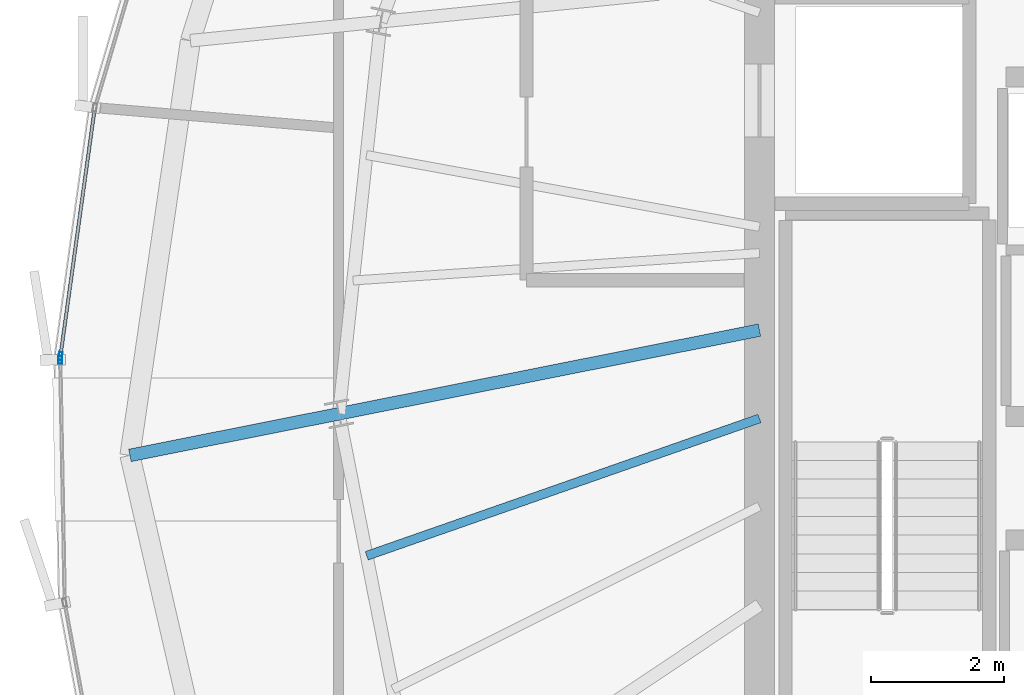
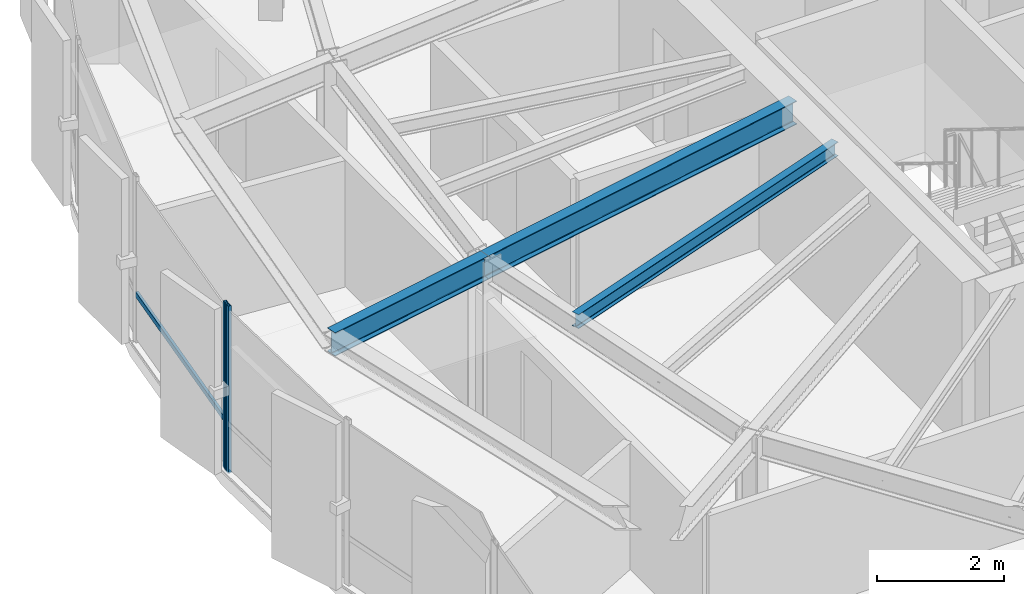
# One storey, part 10 of 32: 3 beams, 3 members, 2 elements without a shape of their own.
"""IFC4 building model written with IfcOpenShell, lengths in metres."""

from ifc_helpers import new_model, si_unit, direction, frame, origin, origin_2d, place, context, subcontext, project, spatial, hollow_rectangle, i_section, extrude, source, transform, mapped, material, layer, layer_set, material_profile, profile_set, type_object, element, aggregate, save


model = new_model("IFC4")

# Units and contexts
model_context = context("Model", 3, precision=1e-05, world=origin(), true_north=direction((0.0, 1.0)))
body_context = subcontext(model_context, "Body", "Model", "MODEL_VIEW")
ifc_project = project(units=[si_unit("LENGTHUNIT", "METRE"), si_unit("AREAUNIT", "SQUARE_METRE"), si_unit("VOLUMEUNIT", "CUBIC_METRE"), si_unit("PLANEANGLEUNIT", "RADIAN"), si_unit("MASSUNIT", "GRAM", prefix="KILO"), si_unit("THERMODYNAMICTEMPERATUREUNIT", "KELVIN")], contexts=[model_context])

# Site, building, storey
site_placement = place(None, origin())
site = spatial("IfcSite", under=ifc_project, at=site_placement, CompositionType="ELEMENT")
building_placement = place(site_placement, origin())
building = spatial("IfcBuilding", under=site, at=building_placement, Name="Kethvar Cultural Tower", CompositionType="ELEMENT")
storey_placement = place(building_placement, frame((0.0, 0.0, 280.14990234375)))
storey = spatial("IfcBuildingStorey", under=building, at=storey_placement, Name="L74", CompositionType="ELEMENT", Elevation=280.14990234375)

# Beams
ifc_material_1 = material(Name="Steel S355J2", Category="steel")
ifc_material_profile_1 = material_profile(ifc_material_1, i_section(OverallWidth=0.18994140625, OverallDepth=0.449951171875, WebThickness=0.009521484375, FlangeThickness=0.0146484375, FilletRadius=0.02099609375, at=origin_2d()), Name="Steel S355J2 — IPE450")
ifc_profile_set_1 = profile_set([ifc_material_profile_1], Name="Steel S355J2 — IPE450")
beam_type_1 = type_object("IfcBeamType", Name="BM-IPE450", PredefinedType="BEAM", material=ifc_profile_set_1)
shared_shape_1 = source(origin(), body_context, "Body", "SweptSolid", [
    extrude(i_section(OverallWidth=0.18994140625, OverallDepth=0.449951171875, WebThickness=0.009521484375, FlangeThickness=0.0146484375, FilletRadius=0.02099609375, at=origin_2d()), origin(), (0.0, 0.0, 1.0), 3.2001953125),
])
beam_1_placement = place(storey_placement, frame((31.68310546875, 24.79296875, 2.983154296875), z_axis=(-0.980788453702, -0.195074368086, 0.0), x_axis=(0.195074368086, -0.980788453702, 0.0)))
element("IfcBeam", 1, at=beam_1_placement, inside=storey, type_object=beam_type_1, Name="L74 Perimeter Cantilever Beam RC-09", PredefinedType="BEAM", context=body_context, shape_type="MappedRepresentation", body=[
    mapped(shared_shape_1, transform((0.0, 0.0, 0.0), scale=1.0)),
])
shared_shape_2 = source(origin(), body_context, "Body", "SweptSolid", [
    extrude(i_section(OverallWidth=0.18994140625, OverallDepth=0.449951171875, WebThickness=0.009521484375, FlangeThickness=0.0146484375, FilletRadius=0.02099609375, at=origin_2d()), origin(), (0.0, 0.0, 1.0), 6.440673828125),
])
beam_2_placement = place(storey_placement, frame((38.0, 26.049560546875, 2.983154296875), z_axis=(-0.980782804096, -0.195102770839, 0.0), x_axis=(0.195102770839, -0.980782804096, 0.0)))
element("IfcBeam", 2, at=beam_2_placement, inside=storey, type_object=beam_type_1, Name="L74 Primary Radial Beam RB-09", PredefinedType="BEAM", context=body_context, shape_type="MappedRepresentation", body=[
    mapped(shared_shape_2, transform((0.0, 0.0, 0.0), scale=1.0)),
])
ifc_material_profile_2 = material_profile(ifc_material_1, i_section(OverallWidth=0.135009765625, OverallDepth=0.27001953125, WebThickness=0.006591796875, FlangeThickness=0.01025390625, FilletRadius=0.014892578125, at=origin_2d()), Name="Steel S355J2 — IPE270")
ifc_profile_set_2 = profile_set([ifc_material_profile_2], Name="Steel S355J2 — IPE270")
beam_type_2 = type_object("IfcBeamType", Name="BM-J270", PredefinedType="JOIST", material=ifc_profile_set_2)
shared_shape_3 = source(origin(), body_context, "Body", "SweptSolid", [
    extrude(i_section(OverallWidth=0.135009765625, OverallDepth=0.27001953125, WebThickness=0.006591796875, FlangeThickness=0.01025390625, FilletRadius=0.014892578125, at=origin_2d()), origin(), (0.0, 0.0, 1.0), 6.248779296875),
])
beam_3_placement = place(storey_placement, frame((38.0, 24.722900390625, 3.072998046875), z_axis=(-0.943960031743, -0.330059780148, 0.0), x_axis=(0.330059780148, -0.943960031743, 0.0)))
element("IfcBeam", 3, at=beam_3_placement, inside=storey, type_object=beam_type_2, Name="L74 Composite Floor Joist J-09A", PredefinedType="JOIST", context=body_context, shape_type="MappedRepresentation", body=[
    mapped(shared_shape_3, transform((0.0, 0.0, 0.0), scale=1.0)),
])

# Curtain wall, member
ifc_material_2 = material(Name="Aluminium 6063-T6", Category="aluminium")
ifc_layer = layer(ifc_material_2, 0.179931640625, Name="Aluminium 6063-T6", Category="aluminium")
ifc_layer_set = layer_set([ifc_layer], Name="Aluminium 6063-T6 (180 mm)")
curtain_wall_type = type_object("IfcCurtainWallType", Name="CW-SYS-05-Z56", PredefinedType="NOTDEFINED", material=ifc_layer_set)
curtain_wall_1_placement = place(storey_placement, origin())
curtain_wall_1 = element("IfcCurtainWall", 4, at=curtain_wall_1_placement, inside=storey, type_object=curtain_wall_type, Name="L74 Curtain Wall Run 02", PredefinedType="NOTDEFINED")
ifc_material_profile_3 = material_profile(ifc_material_2, hollow_rectangle(XDim=0.054931640625, YDim=0.1201171875, WallThickness=0.00390625, at=origin_2d()), Name="Aluminium 6063-T6 — RHS120x55x4")
ifc_profile_set_3 = profile_set([ifc_material_profile_3], Name="Aluminium 6063-T6 — RHS120x55x4")
member_type_1 = type_object("IfcMemberType", Name="CW-SYS-05-Z56-MUL", PredefinedType="MULLION", material=ifc_profile_set_3)
shared_shape_4 = source(origin(), body_context, "Body", "SweptSolid", [
    extrude(hollow_rectangle(XDim=0.054931640625, YDim=0.1201171875, WallThickness=0.00390625, at=origin_2d()), origin(), (0.0, 0.0, 1.0), 3.210205078125),
])
member_1_placement = place(storey_placement, frame((27.50146484375, 25.660400390625, 0.0), z_axis=(0.0, 0.0, 1.0), x_axis=(0.990557380089, -0.137098784642, 0.0)))
member_1 = element("IfcMember", 5, at=member_1_placement, type_object=member_type_1, Name="CW-L74-R02 Mullion 7", PredefinedType="MULLION", context=body_context, shape_type="MappedRepresentation", body=[
    mapped(shared_shape_4, transform((0.0, 0.0, 0.0), scale=1.0)),
])

curtain_wall_2_placement = place(storey_placement, origin())
curtain_wall_2 = element("IfcCurtainWall", 6, at=curtain_wall_2_placement, inside=storey, type_object=curtain_wall_type, Name="L74 Curtain Wall Run 03", PredefinedType="NOTDEFINED")
member_2_placement = place(storey_placement, frame((27.498046875, 25.604736328125, 0.0), z_axis=(0.0, 0.0, 1.0), x_axis=(0.999830159882, 0.018429633466, 0.0)))
member_2 = element("IfcMember", 7, at=member_2_placement, type_object=member_type_1, Name="CW-L74-R03 Mullion 1", PredefinedType="MULLION", context=body_context, shape_type="MappedRepresentation", body=[
    mapped(shared_shape_4, transform((0.0, 0.0, 0.0), scale=1.0)),
])
aggregate(curtain_wall_2, [member_2])

# Member
ifc_material_profile_4 = material_profile(ifc_material_2, hollow_rectangle(XDim=0.050048828125, YDim=0.10009765625, WallThickness=0.00390625, at=origin_2d()), Name="Aluminium 6063-T6 — RHS100x50x4")
ifc_profile_set_4 = profile_set([ifc_material_profile_4], Name="Aluminium 6063-T6 — RHS100x50x4")
member_type_2 = type_object("IfcMemberType", Name="CW-SYS-05-Z56-TRN", PredefinedType="USERDEFINED", material=ifc_profile_set_4)
shared_shape_5 = source(origin(), body_context, "Body", "SweptSolid", [
    extrude(hollow_rectangle(XDim=0.050048828125, YDim=0.10009765625, WallThickness=0.00390625, at=origin_2d()), origin(), (0.0, 0.0, 1.0), 3.72314453125),
])
member_3_placement = place(storey_placement, frame((28.01220703125, 29.352294921875, 0.9501953125), z_axis=(-0.137050112611, -0.990564115357, 0.0), x_axis=(0.990564115357, -0.137050112611, 0.0)))
member_3 = element("IfcMember", 8, at=member_3_placement, type_object=member_type_2, Name="CW-L74-R02 Transom 6", ObjectType="TRANSOM", PredefinedType="USERDEFINED", context=body_context, shape_type="MappedRepresentation", body=[
    mapped(shared_shape_5, transform((0.0, 0.0, 0.0), scale=1.0)),
])

aggregate(curtain_wall_1, [member_1, member_3])

save(model, "model.ifc")
